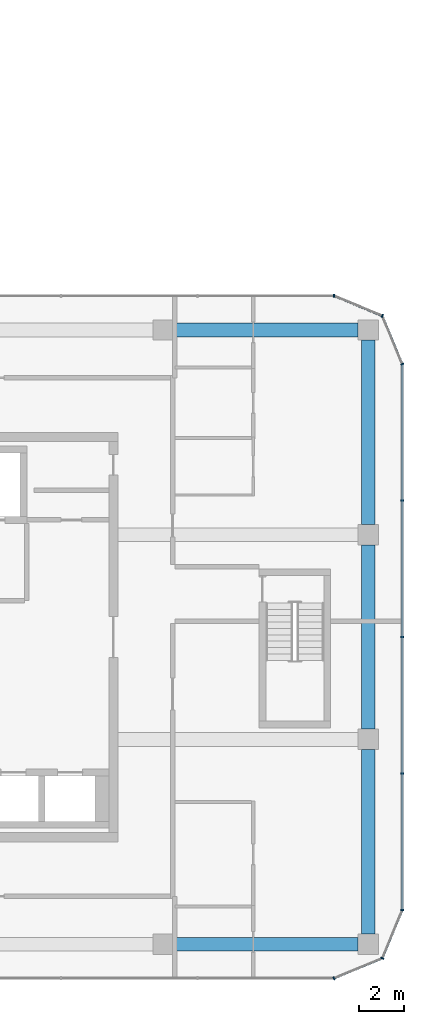
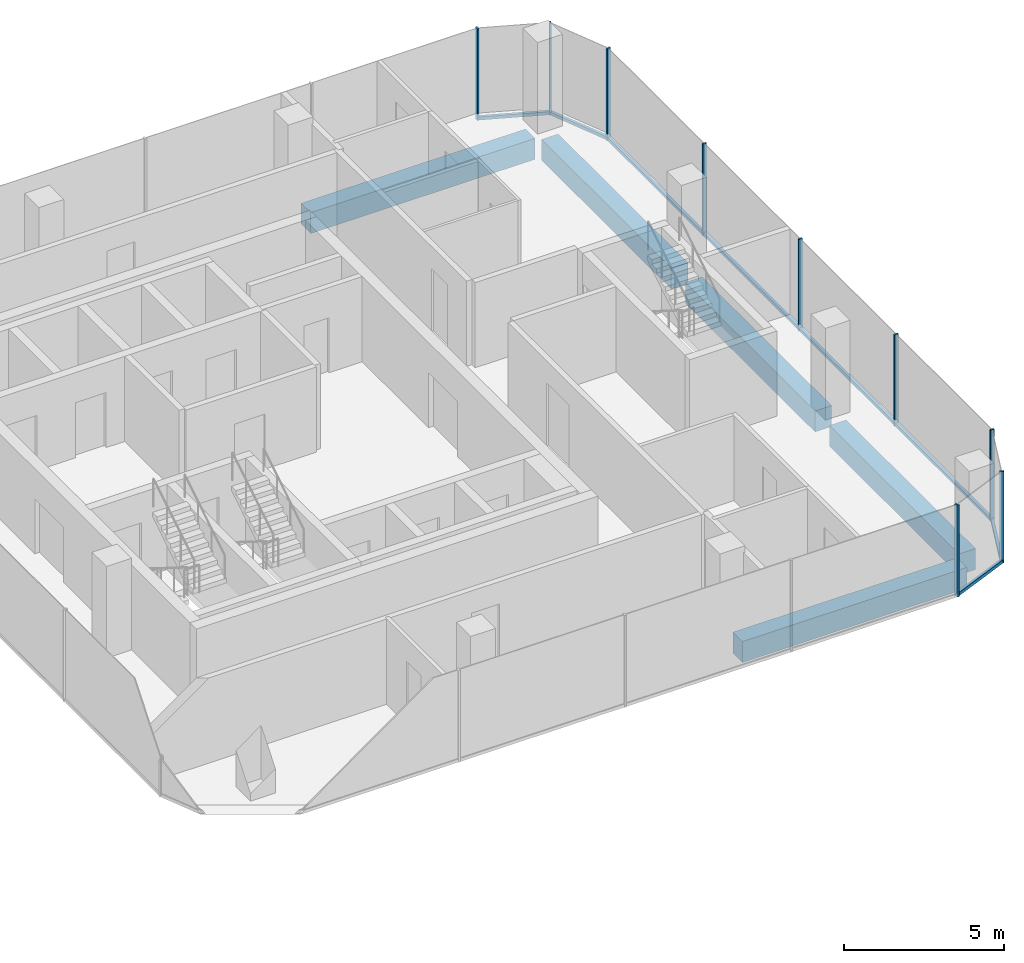
# One storey, part 10 of 22: 14 members, 5 beams, 6 elements without a shape of their own.
"""IFC4 building model written with IfcOpenShell, lengths in metres."""

from ifc_helpers import new_model, si_unit, direction, frame, origin, origin_2d, place, context, subcontext, project, spatial, rectangle, extrude, material, layer, layer_set, material_profile, profile_set, type_object, element, aggregate, save


model = new_model("IFC4")

# Units and contexts
model_context = context("Model", 3, precision=1e-05, world=origin(), true_north=direction((0.0, 1.0)))
body_context = subcontext(model_context, "Body", "Model", "MODEL_VIEW")
ifc_project = project(units=[si_unit("LENGTHUNIT", "METRE"), si_unit("AREAUNIT", "SQUARE_METRE"), si_unit("VOLUMEUNIT", "CUBIC_METRE"), si_unit("PLANEANGLEUNIT", "RADIAN"), si_unit("MASSUNIT", "GRAM", prefix="KILO")], contexts=[model_context])

# Site, building, storey
site_placement = place(None, origin())
site = spatial("IfcSite", under=ifc_project, at=site_placement, CompositionType="ELEMENT")
building_placement = place(site_placement, origin())
building = spatial("IfcBuilding", under=site, at=building_placement, Name="Plateau Cross Towers", CompositionType="ELEMENT")
storey_placement = place(building_placement, frame((0.0, 0.0, 109.800048828125)))
storey = spatial("IfcBuildingStorey", under=building, at=storey_placement, Name="L28", CompositionType="ELEMENT", Elevation=109.800048828125)

# Curtain wall, member
ifc_material_1 = material(Name="Dark low-iron glass", Category="glass")
ifc_layer = layer(ifc_material_1, 0.239990234375)
ifc_layer_set = layer_set([ifc_layer], Name="Dark low-iron glass")
curtain_wall_type = type_object("IfcCurtainWallType", Name="Curtain wall office unitised CW-F", PredefinedType="NOTDEFINED", material=ifc_layer_set)
curtain_wall_1_placement = place(storey_placement, origin())
curtain_wall_1 = element("IfcCurtainWall", 1, at=curtain_wall_1_placement, inside=storey, type_object=curtain_wall_type, Name="ENV/B/L28/B990_-60", PredefinedType="NOTDEFINED")
ifc_material_2 = material(Name="Black anodised aluminium", Category="aluminium")
ifc_material_profile_1 = material_profile(ifc_material_2, rectangle(XDim=0.06005859375, YDim=0.139892578125, at=origin_2d()), Name="MULLION 60x140")
ifc_profile_set_1 = profile_set([ifc_material_profile_1], Name="Black anodised aluminium")
member_type_1 = type_object("IfcMemberType", Name="Mullion 60x140 office unitised", PredefinedType="MULLION", material=ifc_profile_set_1)
member_1_placement = place(storey_placement, frame((99.0, -6.0, -0.25), z_axis=(0.0, 0.0, 1.0), x_axis=(0.923879457699, 0.382683612978, 0.0)))
member_1 = element("IfcMember", 2, at=member_1_placement, type_object=member_type_1, Name="CW-F mullion 1", PredefinedType="MULLION", context=body_context, shape_type="SweptSolid", body=[
    extrude(rectangle(XDim=0.06005859375, YDim=0.139892578125, at=origin_2d()), origin(), (0.0, 0.0, 1.0), 3.5),
])

curtain_wall_2_placement = place(storey_placement, origin())
curtain_wall_2 = element("IfcCurtainWall", 3, at=curtain_wall_2_placement, inside=storey, type_object=curtain_wall_type, Name="ENV/B/L28/B1011_-51", PredefinedType="NOTDEFINED")
member_2_placement = place(storey_placement, frame((101.121337890625, -5.121337890625, -0.25), z_axis=(0.0, 0.0, 1.0), x_axis=(0.382683612978, 0.923879457699, 0.0)))
member_2 = element("IfcMember", 4, at=member_2_placement, type_object=member_type_1, Name="CW-F mullion 1", PredefinedType="MULLION", context=body_context, shape_type="SweptSolid", body=[
    extrude(rectangle(XDim=0.06005859375, YDim=0.139892578125, at=origin_2d()), origin(), (0.0, 0.0, 1.0), 3.5),
])

# Curtain wall, members
curtain_wall_3_placement = place(storey_placement, origin())
curtain_wall_3 = element("IfcCurtainWall", 5, at=curtain_wall_3_placement, inside=storey, type_object=curtain_wall_type, Name="ENV/B/L28/B1020_-30", PredefinedType="NOTDEFINED")
member_3_placement = place(storey_placement, frame((102.0, -3.0, -0.25), z_axis=(0.0, 0.0, 1.0), x_axis=(0.0, 1.0, 0.0)))
member_3 = element("IfcMember", 6, at=member_3_placement, type_object=member_type_1, Name="CW-F mullion 1", PredefinedType="MULLION", context=body_context, shape_type="SweptSolid", body=[
    extrude(rectangle(XDim=0.06005859375, YDim=0.139892578125, at=origin_2d()), origin(), (0.0, 0.0, 1.0), 3.5),
])
member_4_placement = place(storey_placement, frame((102.0, 3.0, -0.25), z_axis=(0.0, 0.0, 1.0), x_axis=(0.0, 1.0, 0.0)))
member_4 = element("IfcMember", 7, at=member_4_placement, type_object=member_type_1, Name="CW-F mullion 2", PredefinedType="MULLION", context=body_context, shape_type="SweptSolid", body=[
    extrude(rectangle(XDim=0.06005859375, YDim=0.139892578125, at=origin_2d()), origin(), (0.0, 0.0, 1.0), 3.5),
])
member_5_placement = place(storey_placement, frame((102.0, 9.0, -0.25), z_axis=(0.0, 0.0, 1.0), x_axis=(0.0, 1.0, 0.0)))
member_5 = element("IfcMember", 8, at=member_5_placement, type_object=member_type_1, Name="CW-F mullion 3", PredefinedType="MULLION", context=body_context, shape_type="SweptSolid", body=[
    extrude(rectangle(XDim=0.06005859375, YDim=0.139892578125, at=origin_2d()), origin(), (0.0, 0.0, 1.0), 3.5),
])
member_6_placement = place(storey_placement, frame((102.0, 15.0, -0.25), z_axis=(0.0, 0.0, 1.0), x_axis=(0.0, 1.0, 0.0)))
member_6 = element("IfcMember", 9, at=member_6_placement, type_object=member_type_1, Name="CW-F mullion 4", PredefinedType="MULLION", context=body_context, shape_type="SweptSolid", body=[
    extrude(rectangle(XDim=0.06005859375, YDim=0.139892578125, at=origin_2d()), origin(), (0.0, 0.0, 1.0), 3.5),
])

# Curtain wall, member
curtain_wall_4_placement = place(storey_placement, origin())
curtain_wall_4 = element("IfcCurtainWall", 10, at=curtain_wall_4_placement, inside=storey, type_object=curtain_wall_type, Name="ENV/B/L28/B1020_210", PredefinedType="NOTDEFINED")
member_7_placement = place(storey_placement, frame((102.0, 21.0, -0.25), z_axis=(0.0, 0.0, 1.0), x_axis=(-0.382683612978, 0.923879457699, 0.0)))
member_7 = element("IfcMember", 11, at=member_7_placement, type_object=member_type_1, Name="CW-F mullion 1", PredefinedType="MULLION", context=body_context, shape_type="SweptSolid", body=[
    extrude(rectangle(XDim=0.06005859375, YDim=0.139892578125, at=origin_2d()), origin(), (0.0, 0.0, 1.0), 3.5),
])

curtain_wall_5_placement = place(storey_placement, origin())
curtain_wall_5 = element("IfcCurtainWall", 12, at=curtain_wall_5_placement, inside=storey, type_object=curtain_wall_type, Name="ENV/B/L28/B1011_231", PredefinedType="NOTDEFINED")
member_8_placement = place(storey_placement, frame((101.121337890625, 23.121337890625, -0.25), z_axis=(0.0, 0.0, 1.0), x_axis=(-0.923879457699, 0.382683612978, 0.0)))
member_8 = element("IfcMember", 13, at=member_8_placement, type_object=member_type_1, Name="CW-F mullion 1", PredefinedType="MULLION", context=body_context, shape_type="SweptSolid", body=[
    extrude(rectangle(XDim=0.06005859375, YDim=0.139892578125, at=origin_2d()), origin(), (0.0, 0.0, 1.0), 3.5),
])

curtain_wall_6_placement = place(storey_placement, origin())
curtain_wall_6 = element("IfcCurtainWall", 14, at=curtain_wall_6_placement, inside=storey, type_object=curtain_wall_type, Name="ENV/B/L28/B990_240", PredefinedType="NOTDEFINED")
member_9_placement = place(storey_placement, frame((99.0, 24.0, -0.25), z_axis=(0.0, 0.0, 1.0), x_axis=(-1.0, 0.0, 0.0)))
member_9 = element("IfcMember", 15, at=member_9_placement, type_object=member_type_1, Name="CW-F mullion 1", PredefinedType="MULLION", context=body_context, shape_type="SweptSolid", body=[
    extrude(rectangle(XDim=0.06005859375, YDim=0.139892578125, at=origin_2d()), origin(), (0.0, 0.0, 1.0), 3.5),
])
aggregate(curtain_wall_6, [member_9])

# Beams
ifc_material_3 = material(Name="Concrete C60/75", Category="concrete")
ifc_material_profile_2 = material_profile(ifc_material_3, rectangle(XDim=0.60009765625, YDim=0.800048828125, at=origin_2d()), Name="RC 600x800")
ifc_profile_set_2 = profile_set([ifc_material_profile_2], Name="Concrete C60/75")
beam_type = type_object("IfcBeamType", Name="Ring beam RC 600x800", PredefinedType="BEAM", material=ifc_profile_set_2)
for number, where, z_axis, x_axis, name in (
    (16, (91.949951171875, -4.5, -0.650146484375), (1.0, 0.0, 0.0), (0.0, 1.0, 0.0), "B-RB02@L28"),
    (17, (100.5, -4.050048828125, -0.650146484375), (0.0, 1.0, 0.0), (-1.0, 0.0, 0.0), "B-RB03@L28"),
    (18, (100.5, 4.949951171875, -0.650146484375), (0.0, 1.0, 0.0), (-1.0, 0.0, 0.0), "B-RB04@L28"),
    (19, (100.5, 13.949951171875, -0.650146484375), (0.0, 1.0, 0.0), (-1.0, 0.0, 0.0), "B-RB05@L28"),
    (20, (100.050048828125, 22.5, -0.650146484375), (-1.0, 0.0, 0.0), (0.0, -1.0, 0.0), "B-RB06@L28"),
):
    element("IfcBeam", number, at=place(storey_placement, frame(where, z_axis=z_axis, x_axis=x_axis)), inside=storey, type_object=beam_type, Name=name, PredefinedType="BEAM", context=body_context, shape_type="SweptSolid", body=[
        extrude(rectangle(XDim=0.60009765625, YDim=0.800048828125, at=origin_2d()), origin(), (0.0, 0.0, 1.0), 8.10009765625),
    ])

# Member
ifc_material_profile_3 = material_profile(ifc_material_2, rectangle(XDim=0.10009765625, YDim=0.1201171875, at=origin_2d()), Name="TRANSOM 100x120")
ifc_profile_set_3 = profile_set([ifc_material_profile_3], Name="Black anodised aluminium")
member_type_2 = type_object("IfcMemberType", Name="Transom 100x120 office unitised", PredefinedType="USERDEFINED", material=ifc_profile_set_3)
member_10_placement = place(storey_placement, frame((99.0, -6.0, -0.18994140625), z_axis=(0.923883353507, 0.382674207535, 0.0), x_axis=(-0.382674207535, 0.923883353507, 0.0)))
member_10 = element("IfcMember", 21, at=member_10_placement, type_object=member_type_2, Name="CW-F transom", ObjectType="TRANSOM", PredefinedType="USERDEFINED", context=body_context, shape_type="SweptSolid", body=[
    extrude(rectangle(XDim=0.10009765625, YDim=0.1201171875, at=origin_2d()), origin(), (0.0, 0.0, 1.0), 2.296142578125),
])

aggregate(curtain_wall_1, [member_1, member_10])

member_11_placement = place(storey_placement, frame((101.121337890625, -5.121337890625, -0.18994140625), z_axis=(0.382674207535, 0.923883353507, 0.0), x_axis=(-0.923883353507, 0.382674207535, 0.0)))
member_11 = element("IfcMember", 22, at=member_11_placement, type_object=member_type_2, Name="CW-F transom", ObjectType="TRANSOM", PredefinedType="USERDEFINED", context=body_context, shape_type="SweptSolid", body=[
    extrude(rectangle(XDim=0.10009765625, YDim=0.1201171875, at=origin_2d()), origin(), (0.0, 0.0, 1.0), 2.296142578125),
])

aggregate(curtain_wall_2, [member_2, member_11])

member_12_placement = place(storey_placement, frame((102.0, -3.0, -0.18994140625), z_axis=(0.0, 1.0, 0.0), x_axis=(-1.0, 0.0, 0.0)))
member_12 = element("IfcMember", 23, at=member_12_placement, type_object=member_type_2, Name="CW-F transom", ObjectType="TRANSOM", PredefinedType="USERDEFINED", context=body_context, shape_type="SweptSolid", body=[
    extrude(rectangle(XDim=0.10009765625, YDim=0.1201171875, at=origin_2d()), origin(), (0.0, 0.0, 1.0), 24.0),
])

aggregate(curtain_wall_3, [member_3, member_4, member_5, member_6, member_12])

member_13_placement = place(storey_placement, frame((102.0, 21.0, -0.18994140625), z_axis=(-0.382674207535, 0.923883353507, 0.0), x_axis=(-0.923883353507, -0.382674207535, 0.0)))
member_13 = element("IfcMember", 24, at=member_13_placement, type_object=member_type_2, Name="CW-F transom", ObjectType="TRANSOM", PredefinedType="USERDEFINED", context=body_context, shape_type="SweptSolid", body=[
    extrude(rectangle(XDim=0.10009765625, YDim=0.1201171875, at=origin_2d()), origin(), (0.0, 0.0, 1.0), 2.296142578125),
])

aggregate(curtain_wall_4, [member_7, member_13])

member_14_placement = place(storey_placement, frame((101.121337890625, 23.121337890625, -0.18994140625), z_axis=(-0.923883353507, 0.382674207535, 0.0), x_axis=(-0.382674207535, -0.923883353507, 0.0)))
member_14 = element("IfcMember", 25, at=member_14_placement, type_object=member_type_2, Name="CW-F transom", ObjectType="TRANSOM", PredefinedType="USERDEFINED", context=body_context, shape_type="SweptSolid", body=[
    extrude(rectangle(XDim=0.10009765625, YDim=0.1201171875, at=origin_2d()), origin(), (0.0, 0.0, 1.0), 2.296142578125),
])

aggregate(curtain_wall_5, [member_8, member_14])

save(model, "model.ifc")
